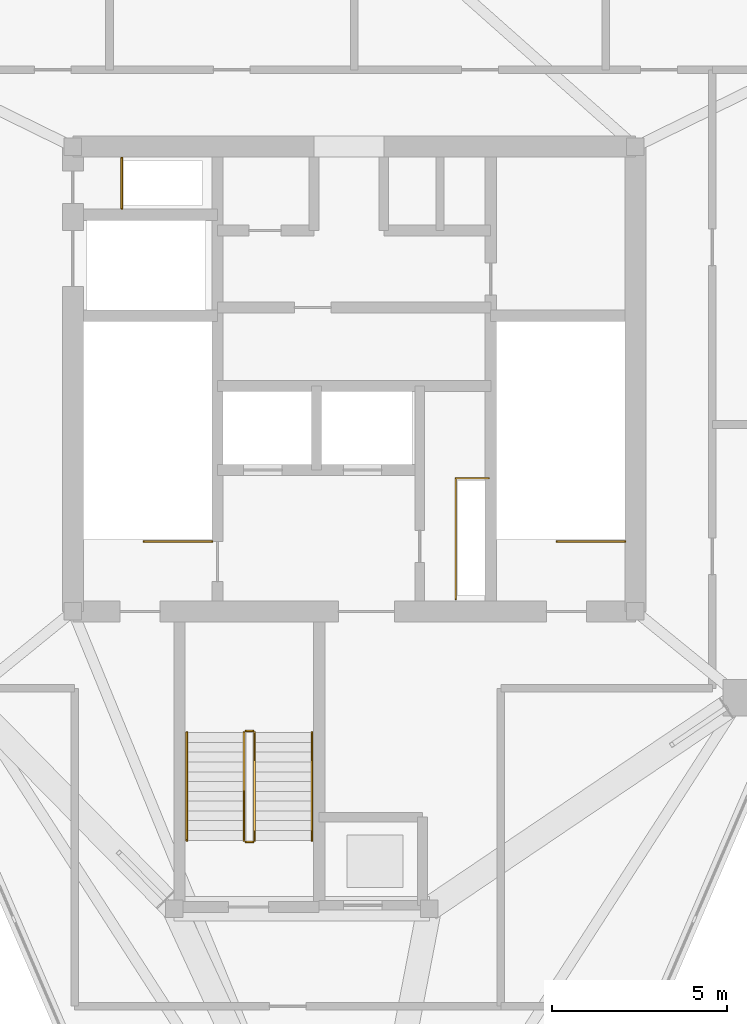
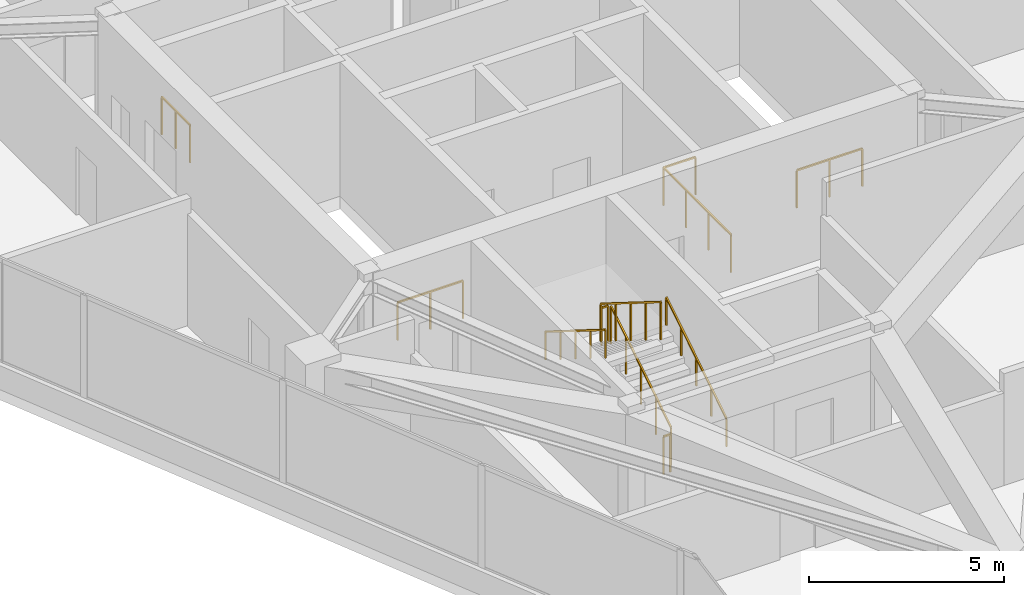
# One storey, part 8 of 9: 10 railings.
"""IFC4 building model written with IfcOpenShell, lengths in metres."""

import ifcopenshell
import ifcopenshell.guid

model = None  # the IFC model being written
_history = None  # IfcOwnerHistory: only IFC2X3 demands one
_inside = {}  # id of a spatial element -> (the spatial element, [elements in it])
_under = {}  # id of a project, library or spatial element -> (it, [spatial elements below it])
_declared = {}  # id of a project -> (the project, [libraries it declares])
_typed = {}  # id of a type object -> (the type object, [elements of that type])
_made_of = {}  # id of a material, layer set ... -> (it, [elements and type objects made of it])


def new_model(schema):
    """Start an empty IFC model of exactly this schema.

    Asked for "IFC4X3", IfcOpenShell would pick the latest addendum, in which some entities
    have other attributes; the version numbers below select the first issue.
    IFC2X3 requires an IfcOwnerHistory on every rooted entity: one is made here for all.
    """
    global model, _history
    if schema == "IFC4X3":
        model = ifcopenshell.file(schema_version=(4, 3, 0, 0))
    else:
        model = ifcopenshell.file(schema=schema)
    _inside.clear()
    _under.clear()
    _declared.clear()
    _typed.clear()
    _made_of.clear()
    _history = None
    if model.schema == "IFC2X3":
        org = make("IfcOrganization", Name="unknown")
        user = make(
            "IfcPersonAndOrganization",
            ThePerson=make("IfcPerson", FamilyName="unknown"),
            TheOrganization=org,
        )
        app = make(
            "IfcApplication",
            ApplicationDeveloper=org,
            Version="unknown",
            ApplicationFullName="unknown",
            ApplicationIdentifier="unknown",
        )
        _history = make(
            "IfcOwnerHistory",
            OwningUser=user,
            OwningApplication=app,
            ChangeAction="ADDED",
            CreationDate=0,
        )
    return model


def make(cls, **values):
    """One entity of the class cls with the attributes given. An attribute that is None is left unset."""
    return model.create_entity(
        cls, **{name: value for name, value in values.items() if value is not None}
    )


def rooted(cls, **values):
    """An entity with a GlobalId (a new one), such as an element, a storey or a relation."""
    return make(cls, GlobalId=ifcopenshell.guid.new(), OwnerHistory=_history, **values)


def si_unit(unit_type, name, prefix=None):
    """IfcSIUnit, for example si_unit("LENGTHUNIT", "METRE", prefix="MILLI")."""
    return make("IfcSIUnit", UnitType=unit_type, Prefix=prefix, Name=name)


def assignment(units):
    """IfcUnitAssignment: the units of a project."""
    return None if units is None else make("IfcUnitAssignment", Units=units)


def point(xyz):
    """IfcCartesianPoint."""
    return None if xyz is None else make("IfcCartesianPoint", Coordinates=xyz)


def direction(xyz):
    """IfcDirection."""
    return None if xyz is None else make("IfcDirection", DirectionRatios=xyz)


def frame(location, z_axis=None, x_axis=None):
    """IfcAxis2Placement3D, a coordinate frame: its origin and axes. An axis left out is left unset."""
    return make(
        "IfcAxis2Placement3D",
        Location=point(location),
        Axis=direction(z_axis),
        RefDirection=direction(x_axis),
    )


def frame_2d(location, x_axis=None):
    """IfcAxis2Placement2D, a coordinate frame in the plane: its origin and x axis."""
    return make(
        "IfcAxis2Placement2D", Location=point(location), RefDirection=direction(x_axis)
    )


def origin():
    """The frame at (0, 0, 0) with its axes left unset."""
    return frame((0.0, 0.0, 0.0))


def origin_2d():
    """The frame at (0, 0) in the plane with its x axis left unset."""
    return frame_2d((0.0, 0.0))


def place(relative_to, where):
    """IfcLocalPlacement: puts the frame where relative to a parent placement (None: the world)."""
    return make(
        "IfcLocalPlacement", PlacementRelTo=relative_to, RelativePlacement=where
    )


def context(
    kind, dimensions, precision=None, world=None, true_north=None, identifier=None
):
    """IfcGeometricRepresentationContext, for example the 3D "Model" context."""
    return make(
        "IfcGeometricRepresentationContext",
        ContextIdentifier=identifier,
        ContextType=kind,
        CoordinateSpaceDimension=dimensions,
        Precision=precision,
        WorldCoordinateSystem=world,
        TrueNorth=true_north,
    )


def subcontext(parent, identifier, kind, view, scale=None):
    """IfcGeometricRepresentationSubContext, for example "Body" below "Model"."""
    return make(
        "IfcGeometricRepresentationSubContext",
        ContextIdentifier=identifier,
        ContextType=kind,
        ParentContext=parent,
        TargetScale=scale,
        TargetView=view,
    )


def project(units=None, contexts=None):
    """IfcProject with its units and contexts."""
    return rooted(
        "IfcProject",
        Name="project",
        RepresentationContexts=contexts,
        UnitsInContext=assignment(units),
    )


def spatial(cls, under=None, at=None, **own):
    """A site, building, storey or space (cls), placed at a placement, below another one or the project."""
    s = rooted(cls, ObjectPlacement=at, **own)
    if under is not None:
        _under.setdefault(under.id(), (under, []))[1].append(s)
    return s


def profile(cls, at=None, kind="AREA", **sizes):
    """A parametric profile (cls). Its sizes go by their IFC names, for example OverallWidth=200.0."""
    return make(cls, ProfileType=kind, Position=at, **sizes)


def rectangle(**sizes):
    """IfcRectangleProfileDef."""
    return profile("IfcRectangleProfileDef", **sizes)


def extrude(swept, where, along, depth):
    """IfcExtrudedAreaSolid: the profile swept, set in the frame where, extruded along a direction by depth."""
    return make(
        "IfcExtrudedAreaSolid",
        SweptArea=swept,
        Position=where,
        ExtrudedDirection=direction(along),
        Depth=depth,
    )


def shape(context_of_items, identifier, shape_type, items):
    """IfcShapeRepresentation: the items that make up one representation, for example the "Body"."""
    return make(
        "IfcShapeRepresentation",
        ContextOfItems=context_of_items,
        RepresentationIdentifier=identifier,
        RepresentationType=shape_type,
        Items=items,
    )


def material(Name=None, Category=None):
    """IfcMaterial."""
    return make("IfcMaterial", Name=Name, Category=Category)


def made_of(thing, what):
    """Note that an element or type object is made of a material, layer set ...; save() writes the relation."""
    if what is not None:
        _made_of.setdefault(what.id(), (what, []))[1].append(thing)
    return thing


def type_object(cls, material=None, **own):
    """A type object (cls), such as IfcWallType, which elements share."""
    return made_of(rooted(cls, **own), material)


def element(
    cls,
    number,
    at=None,
    inside=None,
    cuts=None,
    type_object=None,
    material=None,
    context=None,
    identifier="Body",
    shape_type=None,
    held_by="IfcProductDefinitionShape",
    body=None,
    shapes=None,
    **own,
):
    """One element of the class cls, such as IfcWall. Its Tag is "e" and its number.

    at: its placement. inside: the storey or other place that contains it. cuts: it is an
    opening in that element (IfcRelVoidsElement). A single representation is given by context,
    identifier, shape_type and body (its items); several are given by shapes. held_by: the class
    of the entity that holds the representations. save() writes the other relations.
    """
    e = rooted(cls, Tag="e%d" % number, ObjectPlacement=at, **own)
    if body is not None:
        shapes = [shape(context, identifier, shape_type, body)]
    if shapes is not None:
        e.Representation = make(held_by, Representations=shapes)
    if inside is not None:
        _inside.setdefault(inside.id(), (inside, []))[1].append(e)
    if cuts is not None:
        rooted(
            "IfcRelVoidsElement", RelatingBuildingElement=cuts, RelatedOpeningElement=e
        )
    if type_object is not None:
        _typed.setdefault(type_object.id(), (type_object, []))[1].append(e)
    return made_of(e, material)


def aggregate(whole, parts):
    """IfcRelAggregates: a whole, such as a stair, and the parts it consists of."""
    return rooted("IfcRelAggregates", RelatingObject=whole, RelatedObjects=parts)


def save(model, path):
    """Write the relations noted so far, then the file.

    IfcRelAggregates (storeys below a building ...), IfcRelContainedInSpatialStructure (elements
    in a storey), IfcRelDefinesByType, IfcRelAssociatesMaterial and IfcRelDeclares: one each for
    every whole, place, type object, material and project.
    """
    for whole, parts in _under.values():
        aggregate(whole, parts)
    for where, things in _inside.values():
        rooted(
            "IfcRelContainedInSpatialStructure",
            RelatedElements=things,
            RelatingStructure=where,
        )
    for kind, things in _typed.values():
        rooted("IfcRelDefinesByType", RelatedObjects=things, RelatingType=kind)
    for what, things in _made_of.values():
        rooted("IfcRelAssociatesMaterial", RelatedObjects=things, RelatingMaterial=what)
    for by, libraries in _declared.values():
        rooted("IfcRelDeclares", RelatingContext=by, RelatedDefinitions=libraries)
    model.write(path)


model = new_model("IFC4")

# Units and contexts
model_context = context("Model", 3, precision=1e-05, world=origin(), true_north=direction((0.0, 1.0)))
body_context = subcontext(model_context, "Body", "Model", "MODEL_VIEW")
ifc_project = project(units=[si_unit("LENGTHUNIT", "METRE"), si_unit("AREAUNIT", "SQUARE_METRE"), si_unit("VOLUMEUNIT", "CUBIC_METRE"), si_unit("PLANEANGLEUNIT", "RADIAN"), si_unit("MASSUNIT", "GRAM", prefix="KILO")], contexts=[model_context])

# Site, building, storey
site_placement = place(None, origin())
site = spatial("IfcSite", under=ifc_project, at=site_placement, CompositionType="ELEMENT")
building_placement = place(site_placement, origin())
building = spatial("IfcBuilding", under=site, at=building_placement, Name="Talyreon Biosciences Tower", CompositionType="ELEMENT")
storey_placement = place(building_placement, frame((0.0, 0.0, 317.199951171875)))
storey = spatial("IfcBuildingStorey", under=building, at=storey_placement, Name="L84", CompositionType="ELEMENT", Elevation=317.199951171875)

# Railings
ifc_material_1 = material(Name="Brushed stainless-steel tubular handrail", Category="steel")
railing_type_1 = type_object("IfcRailingType", Name="StairWallHandrail_900", PredefinedType="HANDRAIL", material=ifc_material_1)
railing_1_placement = place(storey_placement, frame((64.7900390625, 54.800048828125, 0.175048828125)))
element("IfcRailing", 1, at=railing_1_placement, inside=storey, type_object=railing_type_1, Name="L84 ST-4 stair handrail 1", PredefinedType="HANDRAIL", context=body_context, shape_type="SweptSolid", body=[
    extrude(rectangle(XDim=0.048095703125, YDim=0.048095703125, at=origin_2d()), frame((0.0, 0.0, 0.8759765625), z_axis=(0.0, 0.847979421464, 0.530029150871), x_axis=(-1.0, 0.0, 0.0)), (0.0, 0.0, 1.0), 3.632080078125),
    extrude(rectangle(XDim=0.0419921875, YDim=0.0419921875, at=origin_2d()), origin(), (0.0, 0.0, 1.0), 0.851806640625),
    extrude(rectangle(XDim=0.0419921875, YDim=0.0419921875, at=origin_2d()), frame((0.0, 0.77001953125, 0.481201171875)), (0.0, 0.0, 1.0), 0.851806640625),
    extrude(rectangle(XDim=0.0419921875, YDim=0.0419921875, at=origin_2d()), frame((0.0, 1.5400390625, 0.96240234375)), (0.0, 0.0, 1.0), 0.851806640625),
    extrude(rectangle(XDim=0.0419921875, YDim=0.0419921875, at=origin_2d()), frame((0.0, 2.309814453125, 1.44384765625)), (0.0, 0.0, 1.0), 0.851806640625),
    extrude(rectangle(XDim=0.0419921875, YDim=0.0419921875, at=origin_2d()), frame((0.0, 3.079833984375, 1.925048828125)), (0.0, 0.0, 1.0), 0.851806640625),
])
railing_2_placement = place(storey_placement, frame((61.2099609375, 57.8798828125, 2.275146484375)))
element("IfcRailing", 2, at=railing_2_placement, inside=storey, type_object=railing_type_1, Name="L84 ST-4 stair handrail 2", PredefinedType="HANDRAIL", context=body_context, shape_type="SweptSolid", body=[
    extrude(rectangle(XDim=0.048095703125, YDim=0.048095703125, at=origin_2d()), frame((0.0, 0.0, 0.8759765625), z_axis=(0.0, -0.848009633417, 0.529980812513), x_axis=(1.0, 0.0, 0.0)), (0.0, 0.0, 1.0), 3.6318359375),
    extrude(rectangle(XDim=0.0419921875, YDim=0.0419921875, at=origin_2d()), origin(), (0.0, 0.0, 1.0), 0.851806640625),
    extrude(rectangle(XDim=0.0419921875, YDim=0.0419921875, at=origin_2d()), frame((0.0, -0.77001953125, 0.481201171875)), (0.0, 0.0, 1.0), 0.851806640625),
    extrude(rectangle(XDim=0.0419921875, YDim=0.0419921875, at=origin_2d()), frame((0.0, -1.5400390625, 0.96240234375)), (0.0, 0.0, 1.0), 0.851806640625),
    extrude(rectangle(XDim=0.0419921875, YDim=0.0419921875, at=origin_2d()), frame((0.0, -2.309814453125, 1.443603515625)), (0.0, 0.0, 1.0), 0.851806640625),
    extrude(rectangle(XDim=0.0419921875, YDim=0.0419921875, at=origin_2d()), frame((0.0, -3.079833984375, 1.9248046875)), (0.0, 0.0, 1.0), 0.851806640625),
])
ifc_material_2 = material(Name="Painted galvanised steel post-and-rail balustrade", Category="steel")
railing_type_2 = type_object("IfcRailingType", Name="TerraceStairGuard_1200", PredefinedType="GUARDRAIL", material=ifc_material_2)
for number, where, name in (
    (3, (61.929931640625, 63.35009765625, 0.0), "L84 ST-1 top well guard 1"),
    (4, (73.75, 63.35009765625, 0.0), "L84 ST-2 top well guard 1"),
):
    element("IfcRailing", number, at=place(storey_placement, frame(where)), inside=storey, type_object=railing_type_2, Name=name, PredefinedType="GUARDRAIL", context=body_context, shape_type="SweptSolid", body=[
        extrude(rectangle(XDim=0.048095703125, YDim=0.048095703125, at=origin_2d()), frame((0.0, 0.0, 1.17578125), z_axis=(-1.0, 0.0, 0.0), x_axis=(0.0, -1.0, 0.0)), (0.0, 0.0, 1.0), 1.93994140625),
        extrude(rectangle(XDim=0.0419921875, YDim=0.0419921875, at=origin_2d()), origin(), (0.0, 0.0, 1.0), 1.15185546875),
        extrude(rectangle(XDim=0.0419921875, YDim=0.0419921875, at=origin_2d()), frame((-0.969970703125, 0.0, 0.0)), (0.0, 0.0, 1.0), 1.15185546875),
        extrude(rectangle(XDim=0.0419921875, YDim=0.0419921875, at=origin_2d()), frame((-1.93994140625, 0.0, 0.0)), (0.0, 0.0, 1.0), 1.15185546875),
    ])
railing_3_placement = place(storey_placement, frame((63.14990234375, 54.800048828125, 0.175048828125)))
element("IfcRailing", 5, at=railing_3_placement, inside=storey, type_object=railing_type_2, Name="L84 ST-4 stair guard 1", PredefinedType="GUARDRAIL", context=body_context, shape_type="SweptSolid", body=[
    extrude(rectangle(XDim=0.048095703125, YDim=0.048095703125, at=origin_2d()), frame((0.0, 0.0, 1.17578125), z_axis=(0.0, 0.847979421464, 0.530029150871), x_axis=(-1.0, 0.0, 0.0)), (0.0, 0.0, 1.0), 3.632080078125),
    extrude(rectangle(XDim=0.0419921875, YDim=0.0419921875, at=origin_2d()), origin(), (0.0, 0.0, 1.0), 1.15185546875),
    extrude(rectangle(XDim=0.0419921875, YDim=0.0419921875, at=origin_2d()), frame((0.0, 0.77001953125, 0.481201171875)), (0.0, 0.0, 1.0), 1.15185546875),
    extrude(rectangle(XDim=0.0419921875, YDim=0.0419921875, at=origin_2d()), frame((0.0, 1.5400390625, 0.96240234375)), (0.0, 0.0, 1.0), 1.15185546875),
    extrude(rectangle(XDim=0.0419921875, YDim=0.0419921875, at=origin_2d()), frame((0.0, 2.309814453125, 1.44384765625)), (0.0, 0.0, 1.0), 1.15185546875),
    extrude(rectangle(XDim=0.0419921875, YDim=0.0419921875, at=origin_2d()), frame((0.0, 3.079833984375, 1.925048828125)), (0.0, 0.0, 1.0), 1.15185546875),
])
railing_4_placement = place(storey_placement, frame((63.10009765625, 57.929931640625, 2.10009765625)))
element("IfcRailing", 6, at=railing_4_placement, inside=storey, type_object=railing_type_2, Name="L84 ST-4 stair guard 2", PredefinedType="GUARDRAIL", context=body_context, shape_type="SweptSolid", body=[
    extrude(rectangle(XDim=0.048095703125, YDim=0.048095703125, at=origin_2d()), frame((0.0, 0.0, 1.17578125), z_axis=(-1.0, 0.0, 0.0), x_axis=(0.0, -1.0, 0.0)), (0.0, 0.0, 1.0), 0.2001953125),
    extrude(rectangle(XDim=0.0419921875, YDim=0.0419921875, at=origin_2d()), origin(), (0.0, 0.0, 1.0), 1.15185546875),
    extrude(rectangle(XDim=0.0419921875, YDim=0.0419921875, at=origin_2d()), frame((-0.2001953125, 0.0, 0.0)), (0.0, 0.0, 1.0), 1.15185546875),
])
railing_5_placement = place(storey_placement, frame((62.85009765625, 57.8798828125, 2.275146484375)))
element("IfcRailing", 7, at=railing_5_placement, inside=storey, type_object=railing_type_2, Name="L84 ST-4 stair guard 3", PredefinedType="GUARDRAIL", context=body_context, shape_type="SweptSolid", body=[
    extrude(rectangle(XDim=0.048095703125, YDim=0.048095703125, at=origin_2d()), frame((0.0, 0.0, 1.17578125), z_axis=(0.0, -0.848009633417, 0.529980812513), x_axis=(1.0, 0.0, 0.0)), (0.0, 0.0, 1.0), 3.6318359375),
    extrude(rectangle(XDim=0.0419921875, YDim=0.0419921875, at=origin_2d()), origin(), (0.0, 0.0, 1.0), 1.15185546875),
    extrude(rectangle(XDim=0.0419921875, YDim=0.0419921875, at=origin_2d()), frame((0.0, -0.77001953125, 0.481201171875)), (0.0, 0.0, 1.0), 1.15185546875),
    extrude(rectangle(XDim=0.0419921875, YDim=0.0419921875, at=origin_2d()), frame((0.0, -1.5400390625, 0.96240234375)), (0.0, 0.0, 1.0), 1.15185546875),
    extrude(rectangle(XDim=0.0419921875, YDim=0.0419921875, at=origin_2d()), frame((0.0, -2.309814453125, 1.443603515625)), (0.0, 0.0, 1.0), 1.15185546875),
    extrude(rectangle(XDim=0.0419921875, YDim=0.0419921875, at=origin_2d()), frame((0.0, -3.079833984375, 1.9248046875)), (0.0, 0.0, 1.0), 1.15185546875),
])
railing_6_placement = place(storey_placement, frame((63.10009765625, 54.75, 0.0)))
element("IfcRailing", 8, at=railing_6_placement, inside=storey, type_object=railing_type_2, Name="L84 ST-4 stair guard 4", PredefinedType="GUARDRAIL", context=body_context, shape_type="SweptSolid", body=[
    extrude(rectangle(XDim=0.048095703125, YDim=0.048095703125, at=origin_2d()), frame((0.0, 0.0, 1.17578125), z_axis=(-1.0, 0.0, 0.0), x_axis=(0.0, -1.0, 0.0)), (0.0, 0.0, 1.0), 0.2001953125),
    extrude(rectangle(XDim=0.0419921875, YDim=0.0419921875, at=origin_2d()), origin(), (0.0, 0.0, 1.0), 1.15185546875),
    extrude(rectangle(XDim=0.0419921875, YDim=0.0419921875, at=origin_2d()), frame((-0.2001953125, 0.0, 0.0)), (0.0, 0.0, 1.0), 1.15185546875),
])
railing_7_placement = place(storey_placement, frame((59.35009765625, 72.8798828125, 0.0)))
element("IfcRailing", 9, at=railing_7_placement, inside=storey, type_object=railing_type_2, Name="L84 Exhaust Riser Maintenance Guardrail", PredefinedType="GUARDRAIL", context=body_context, shape_type="SweptSolid", body=[
    extrude(rectangle(XDim=0.048095703125, YDim=0.048095703125, at=origin_2d()), frame((0.0, 0.0, 1.17578125), z_axis=(0.0, 1.0, 0.0), x_axis=(-1.0, 0.0, 0.0)), (0.0, 0.0, 1.0), 1.4501953125),
    extrude(rectangle(XDim=0.0419921875, YDim=0.0419921875, at=origin_2d()), origin(), (0.0, 0.0, 1.0), 1.15185546875),
    extrude(rectangle(XDim=0.0419921875, YDim=0.0419921875, at=origin_2d()), frame((0.0, 0.72509765625, 0.0)), (0.0, 0.0, 1.0), 1.15185546875),
    extrude(rectangle(XDim=0.0419921875, YDim=0.0419921875, at=origin_2d()), frame((0.0, 1.4501953125, 0.0)), (0.0, 0.0, 1.0), 1.15185546875),
])
railing_8_placement = place(storey_placement, frame((68.909912109375, 61.699951171875, 0.0)))
element("IfcRailing", 10, at=railing_8_placement, inside=storey, type_object=railing_type_2, Name="L84 Electrical Riser Maintenance Guardrail", PredefinedType="GUARDRAIL", context=body_context, shape_type="SweptSolid", body=[
    extrude(rectangle(XDim=0.048095703125, YDim=0.048095703125, at=origin_2d()), frame((0.0, 0.0, 1.17578125), z_axis=(0.0, 1.0, 0.0), x_axis=(-1.0, 0.0, 0.0)), (0.0, 0.0, 1.0), 3.4599609375),
    extrude(rectangle(XDim=0.048095703125, YDim=0.048095703125, at=origin_2d()), frame((0.0, 3.4599609375, 1.17578125), z_axis=(1.0, 0.0, 0.0), x_axis=(0.0, 1.0, 0.0)), (0.0, 0.0, 1.0), 0.9501953125),
    extrude(rectangle(XDim=0.0419921875, YDim=0.0419921875, at=origin_2d()), origin(), (0.0, 0.0, 1.0), 1.15185546875),
    extrude(rectangle(XDim=0.0419921875, YDim=0.0419921875, at=origin_2d()), frame((0.0, 1.1533203125, 0.0)), (0.0, 0.0, 1.0), 1.15185546875),
    extrude(rectangle(XDim=0.0419921875, YDim=0.0419921875, at=origin_2d()), frame((0.0, 2.306640625, 0.0)), (0.0, 0.0, 1.0), 1.15185546875),
    extrude(rectangle(XDim=0.0419921875, YDim=0.0419921875, at=origin_2d()), frame((0.0, 3.4599609375, 0.0)), (0.0, 0.0, 1.0), 1.15185546875),
    extrude(rectangle(XDim=0.0419921875, YDim=0.0419921875, at=origin_2d()), frame((0.9501953125, 3.4599609375, 0.0)), (0.0, 0.0, 1.0), 1.15185546875),
])

save(model, "model.ifc")
